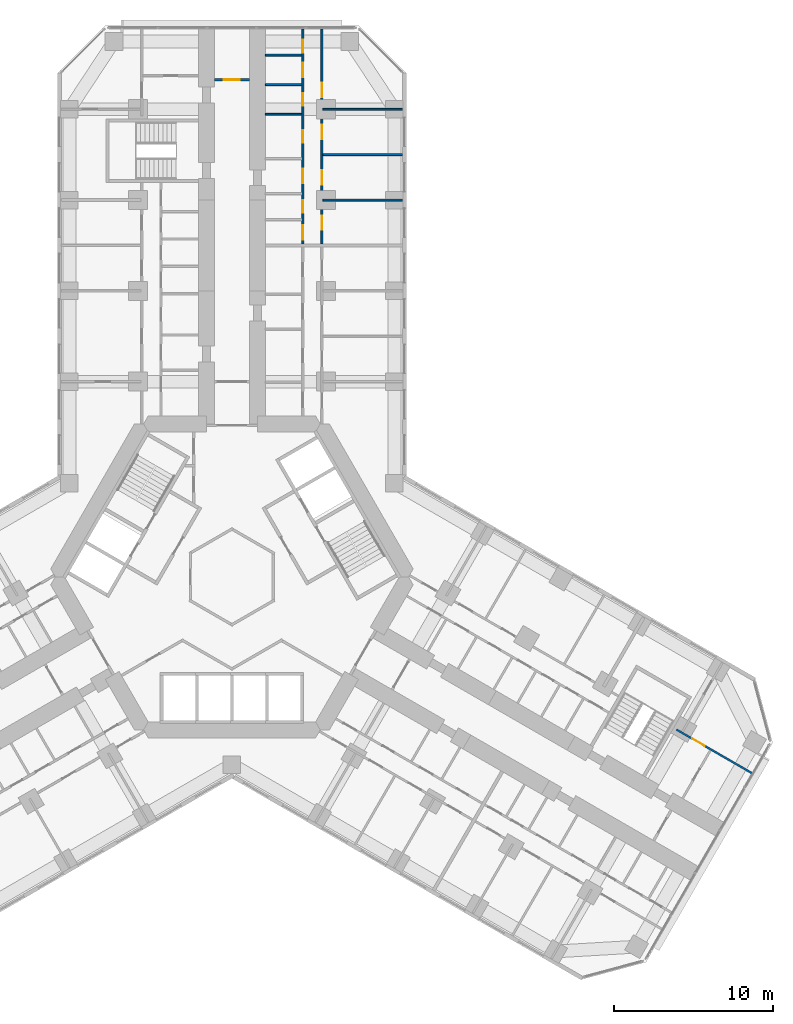
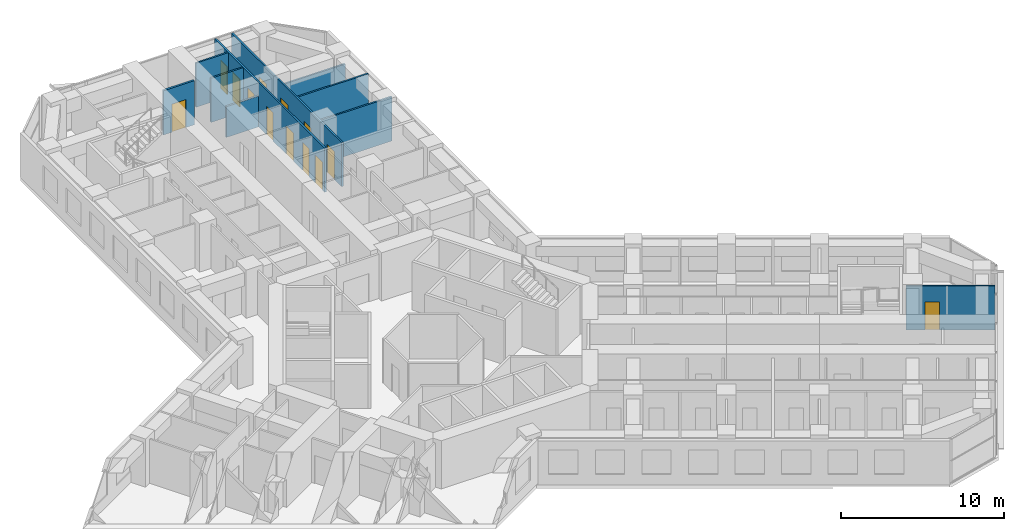
# One storey, part 19 of 21: 13 doors, 10 walls, 13 openings.
"""IFC4 building model written with IfcOpenShell, lengths in metres."""

from ifc_helpers import new_model, si_unit, direction, frame, frame_2d, origin, place, context, subcontext, project, spatial, rectangle, extrude, material, layer, layer_set, type_object, element, fill, save


model = new_model("IFC4")

# Units and contexts
model_context = context("Model", 3, precision=1e-05, world=origin(), true_north=direction((0.0, 1.0)))
body_context = subcontext(model_context, "Body", "Model", "MODEL_VIEW")
ifc_project = project(units=[si_unit("LENGTHUNIT", "METRE"), si_unit("AREAUNIT", "SQUARE_METRE"), si_unit("VOLUMEUNIT", "CUBIC_METRE"), si_unit("PLANEANGLEUNIT", "RADIAN"), si_unit("MASSUNIT", "GRAM", prefix="KILO")], contexts=[model_context])

# Site, building, storey
site_placement = place(None, origin())
site = spatial("IfcSite", under=ifc_project, at=site_placement, CompositionType="ELEMENT")
building_placement = place(site_placement, origin())
building = spatial("IfcBuilding", under=site, at=building_placement, Name="Kosmar Iwan School Tower", CompositionType="ELEMENT")
storey_placement = place(building_placement, frame((0.0, 0.0, 28.800048828125)))
storey = spatial("IfcBuildingStorey", under=building, at=storey_placement, Name="L06", CompositionType="ELEMENT", Elevation=28.800048828125)

# Wall, opening, door
ifc_material_1 = material(Name="Gypsum board on steel studs, fire-rated", Category="steel")
ifc_layer_1 = layer(ifc_material_1, 0.14990234375)
ifc_layer_set_1 = layer_set([ifc_layer_1], Name="Corridor end wall 150")
wall_type_1 = type_object("IfcWallType", Name="Corridor end wall 150", PredefinedType="PARTITIONING", material=ifc_layer_set_1)
wall_1_placement = place(storey_placement, frame((1.10009765625, 31.199951171875, 0.0), z_axis=(0.0, 0.0, 1.0), x_axis=(-1.0, 0.0, 0.0)))
wall_1 = element("IfcWall", 1, at=wall_1_placement, inside=storey, type_object=wall_type_1, Name="Partition L06-A-CE", PredefinedType="PARTITIONING", context=body_context, shape_type="SweptSolid", body=[
    extrude(rectangle(XDim=2.2001953125, YDim=0.14990234375, at=frame_2d((1.10009765625, 0.0))), origin(), (0.0, 0.0, 1.0), 3.300048828125),
])
opening_1_placement = place(wall_1_placement, frame((0.60009765625, 0.0, 0.0)))
opening_1 = element("IfcOpeningElement", 2, at=opening_1_placement, cuts=wall_1, Name="Opening D13", PredefinedType="OPENING", context=body_context, shape_type="SweptSolid", body=[
    extrude(rectangle(XDim=1.0, YDim=2.10009765625, at=frame_2d((0.5, 1.050048828125))), frame((0.0, 0.0869140625, 0.0), z_axis=(0.0, -1.0, 0.0), x_axis=(1.0, 0.0, 0.0)), (0.0, 0.0, 1.0), 0.173828125),
])
ifc_material_2 = material(Name="Timber fire door with vision panel", Category="wood")
door_type_1 = type_object("IfcDoorType", Name="Corridor end door 1000x2100", OperationType="SINGLE_SWING_LEFT", PredefinedType="DOOR", material=ifc_material_2)
door_1_placement = place(opening_1_placement, origin())
door_1 = element("IfcDoor", 3, at=door_1_placement, inside=storey, type_object=door_type_1, Name="Family study room door L06-A", OperationType="SINGLE_SWING_LEFT", OverallHeight=2.10009765625, OverallWidth=1.0, PredefinedType="DOOR", context=body_context, shape_type="SweptSolid", body=[
    extrude(rectangle(XDim=1.0, YDim=2.10009765625, at=frame_2d((0.5, 1.050048828125))), frame((0.0, 0.02490234375, 0.0), z_axis=(0.0, -1.0, 0.0), x_axis=(1.0, 0.0, 0.0)), (0.0, 0.0, 1.0), 0.050048828125),
])
fill(opening_1, door_1)

# Wall, openings, doors
ifc_material_3 = material(Name="Gypsum board on steel studs", Category="steel")
ifc_layer_2 = layer(ifc_material_3, 0.1201171875)
ifc_layer_set_2 = layer_set([ifc_layer_2], Name="Dwelling partition 120")
wall_type_2 = type_object("IfcWallType", Name="Dwelling partition 120", PredefinedType="PARTITIONING", material=ifc_layer_set_2)
wall_2_placement = place(storey_placement, frame((4.449951171875, 20.89990234375, 0.0), z_axis=(0.0, 0.0, 1.0), x_axis=(0.0, 1.0, 0.0)))
wall_2 = element("IfcWall", 4, at=wall_2_placement, inside=storey, type_object=wall_type_2, Name="Partition L06-AR2-W1", PredefinedType="PARTITIONING", context=body_context, shape_type="SweptSolid", body=[
    extrude(rectangle(XDim=13.4951171875, YDim=0.1201171875, at=frame_2d((6.74755859375, 0.0))), origin(), (0.0, 0.0, 1.0), 3.300048828125),
])
opening_2_placement = place(wall_2_placement, frame((0.262451171875, 0.0, 0.0)))
opening_2 = element("IfcOpeningElement", 5, at=opening_2_placement, cuts=wall_2, Name="Opening D2", PredefinedType="OPENING", context=body_context, shape_type="SweptSolid", body=[
    extrude(rectangle(XDim=0.89990234375, YDim=2.10009765625, at=frame_2d((0.449951171875, 1.050048828125))), frame((0.0, 0.072021484375, 0.0), z_axis=(0.0, -1.0, 0.0), x_axis=(1.0, 0.0, 0.0)), (0.0, 0.0, 1.0), 0.14404296875),
])
opening_3_placement = place(wall_2_placement, frame((1.9375, 0.0, 0.0)))
opening_3 = element("IfcOpeningElement", 6, at=opening_3_placement, cuts=wall_2, Name="Opening D3", PredefinedType="OPENING", context=body_context, shape_type="SweptSolid", body=[
    extrude(rectangle(XDim=0.800048828125, YDim=2.10009765625, at=frame_2d((0.39990234375, 1.050048828125))), frame((0.0, 0.072021484375, 0.0), z_axis=(0.0, -1.0, 0.0), x_axis=(1.0, 0.0, 0.0)), (0.0, 0.0, 1.0), 0.14404296875),
])
opening_4_placement = place(wall_2_placement, frame((3.800048828125, 0.0, 0.0)))
opening_4 = element("IfcOpeningElement", 7, at=opening_4_placement, cuts=wall_2, Name="Opening D2", PredefinedType="OPENING", context=body_context, shape_type="SweptSolid", body=[
    extrude(rectangle(XDim=0.89990234375, YDim=2.10009765625, at=frame_2d((0.449951171875, 1.050048828125))), frame((0.0, 0.072021484375, 0.0), z_axis=(0.0, -1.0, 0.0), x_axis=(1.0, 0.0, 0.0)), (0.0, 0.0, 1.0), 0.14404296875),
])
opening_5_placement = place(wall_2_placement, frame((6.341796875, 0.0, 0.0)))
opening_5 = element("IfcOpeningElement", 8, at=opening_5_placement, cuts=wall_2, Name="Opening D3", PredefinedType="OPENING", context=body_context, shape_type="SweptSolid", body=[
    extrude(rectangle(XDim=0.800048828125, YDim=2.10009765625, at=frame_2d((0.39990234375, 1.050048828125))), frame((0.0, 0.072021484375, 0.0), z_axis=(0.0, -1.0, 0.0), x_axis=(1.0, 0.0, 0.0)), (0.0, 0.0, 1.0), 0.14404296875),
])
opening_6_placement = place(wall_2_placement, frame((8.6611328125, 0.0, 0.0)))
opening_6 = element("IfcOpeningElement", 9, at=opening_6_placement, cuts=wall_2, Name="Opening D3", PredefinedType="OPENING", context=body_context, shape_type="SweptSolid", body=[
    extrude(rectangle(XDim=0.800048828125, YDim=2.10009765625, at=frame_2d((0.39990234375, 1.050048828125))), frame((0.0, 0.072021484375, 0.0), z_axis=(0.0, -1.0, 0.0), x_axis=(1.0, 0.0, 0.0)), (0.0, 0.0, 1.0), 0.14404296875),
])
opening_7_placement = place(wall_2_placement, frame((10.466796875, 0.0, 0.0)))
opening_7 = element("IfcOpeningElement", 10, at=opening_7_placement, cuts=wall_2, Name="Opening D2", PredefinedType="OPENING", context=body_context, shape_type="SweptSolid", body=[
    extrude(rectangle(XDim=0.89990234375, YDim=2.10009765625, at=frame_2d((0.449951171875, 1.050048828125))), frame((0.0, 0.072021484375, 0.0), z_axis=(0.0, -1.0, 0.0), x_axis=(1.0, 0.0, 0.0)), (0.0, 0.0, 1.0), 0.14404296875),
])
opening_8_placement = place(wall_2_placement, frame((12.00439453125, 0.0, 0.0)))
opening_8 = element("IfcOpeningElement", 11, at=opening_8_placement, cuts=wall_2, Name="Opening D3", PredefinedType="OPENING", context=body_context, shape_type="SweptSolid", body=[
    extrude(rectangle(XDim=0.800048828125, YDim=2.10009765625, at=frame_2d((0.39990234375, 1.050048828125))), frame((0.0, 0.072021484375, 0.0), z_axis=(0.0, -1.0, 0.0), x_axis=(1.0, 0.0, 0.0)), (0.0, 0.0, 1.0), 0.14404296875),
])
ifc_material_4 = material(Name="Timber door in timber frame", Category="wood")
door_type_2 = type_object("IfcDoorType", Name="Internal door 900x2100", OperationType="SINGLE_SWING_LEFT", PredefinedType="DOOR", material=ifc_material_4)
door_2_placement = place(opening_2_placement, origin())
door_2 = element("IfcDoor", 12, at=door_2_placement, inside=storey, type_object=door_type_2, Name="Utility room door L06-AR2-S1", OperationType="SINGLE_SWING_RIGHT", OverallHeight=2.10009765625, OverallWidth=0.89990234375, PredefinedType="DOOR", context=body_context, shape_type="SweptSolid", body=[
    extrude(rectangle(XDim=0.89990234375, YDim=2.10009765625, at=frame_2d((0.449951171875, 1.050048828125))), frame((0.0, 0.02490234375, 0.0), z_axis=(0.0, -1.0, 0.0), x_axis=(1.0, 0.0, 0.0)), (0.0, 0.0, 1.0), 0.050048828125),
])
fill(opening_2, door_2)
door_3_placement = place(opening_4_placement, origin())
door_3 = element("IfcDoor", 13, at=door_3_placement, inside=storey, type_object=door_type_2, Name="Entrance hall door L06-AR2-S3", OperationType="SINGLE_SWING_RIGHT", OverallHeight=2.10009765625, OverallWidth=0.89990234375, PredefinedType="DOOR", context=body_context, shape_type="SweptSolid", body=[
    extrude(rectangle(XDim=0.89990234375, YDim=2.10009765625, at=frame_2d((0.449951171875, 1.050048828125))), frame((0.0, 0.02490234375, 0.0), z_axis=(0.0, -1.0, 0.0), x_axis=(1.0, 0.0, 0.0)), (0.0, 0.0, 1.0), 0.050048828125),
])
fill(opening_4, door_3)
door_4_placement = place(opening_7_placement, origin())
door_4 = element("IfcDoor", 14, at=door_4_placement, inside=storey, type_object=door_type_2, Name="Pantry door L06-AR2-S6", OperationType="SINGLE_SWING_LEFT", OverallHeight=2.10009765625, OverallWidth=0.89990234375, PredefinedType="DOOR", context=body_context, shape_type="SweptSolid", body=[
    extrude(rectangle(XDim=0.89990234375, YDim=2.10009765625, at=frame_2d((0.449951171875, 1.050048828125))), frame((0.0, 0.02490234375, 0.0), z_axis=(0.0, -1.0, 0.0), x_axis=(1.0, 0.0, 0.0)), (0.0, 0.0, 1.0), 0.050048828125),
])
fill(opening_7, door_4)
ifc_material_5 = material(Name="Timber door in timber frame", Category="wood")
door_type_3 = type_object("IfcDoorType", Name="Sanitary room door 800x2100", OperationType="SINGLE_SWING_LEFT", PredefinedType="DOOR", material=ifc_material_5)
door_5_placement = place(opening_3_placement, origin())
door_5 = element("IfcDoor", 15, at=door_5_placement, inside=storey, type_object=door_type_3, Name="WC door L06-AR2-S2", OperationType="SINGLE_SWING_LEFT", OverallHeight=2.10009765625, OverallWidth=0.800048828125, PredefinedType="DOOR", context=body_context, shape_type="SweptSolid", body=[
    extrude(rectangle(XDim=0.800048828125, YDim=2.10009765625, at=frame_2d((0.39990234375, 1.050048828125))), frame((0.0, 0.02490234375, 0.0), z_axis=(0.0, -1.0, 0.0), x_axis=(1.0, 0.0, 0.0)), (0.0, 0.0, 1.0), 0.050048828125),
])
fill(opening_3, door_5)
door_6_placement = place(opening_5_placement, origin())
door_6 = element("IfcDoor", 16, at=door_6_placement, inside=storey, type_object=door_type_3, Name="Bathroom door L06-AR2-S4", OperationType="SINGLE_SWING_LEFT", OverallHeight=2.10009765625, OverallWidth=0.800048828125, PredefinedType="DOOR", context=body_context, shape_type="SweptSolid", body=[
    extrude(rectangle(XDim=0.800048828125, YDim=2.10009765625, at=frame_2d((0.39990234375, 1.050048828125))), frame((0.0, 0.02490234375, 0.0), z_axis=(0.0, -1.0, 0.0), x_axis=(1.0, 0.0, 0.0)), (0.0, 0.0, 1.0), 0.050048828125),
])
fill(opening_5, door_6)
door_7_placement = place(opening_6_placement, origin())
door_7 = element("IfcDoor", 17, at=door_7_placement, inside=storey, type_object=door_type_3, Name="Shower room door L06-AR2-S5", OperationType="SINGLE_SWING_RIGHT", OverallHeight=2.10009765625, OverallWidth=0.800048828125, PredefinedType="DOOR", context=body_context, shape_type="SweptSolid", body=[
    extrude(rectangle(XDim=0.800048828125, YDim=2.10009765625, at=frame_2d((0.39990234375, 1.050048828125))), frame((0.0, 0.02490234375, 0.0), z_axis=(0.0, -1.0, 0.0), x_axis=(1.0, 0.0, 0.0)), (0.0, 0.0, 1.0), 0.050048828125),
])
fill(opening_6, door_7)
door_8_placement = place(opening_8_placement, origin())
door_8 = element("IfcDoor", 18, at=door_8_placement, inside=storey, type_object=door_type_3, Name="Store door L06-AR2-S7", OperationType="SINGLE_SWING_LEFT", OverallHeight=2.10009765625, OverallWidth=0.800048828125, PredefinedType="DOOR", context=body_context, shape_type="SweptSolid", body=[
    extrude(rectangle(XDim=0.800048828125, YDim=2.10009765625, at=frame_2d((0.39990234375, 1.050048828125))), frame((0.0, 0.02490234375, 0.0), z_axis=(0.0, -1.0, 0.0), x_axis=(1.0, 0.0, 0.0)), (0.0, 0.0, 1.0), 0.050048828125),
])
fill(opening_8, door_8)

wall_3_placement = place(storey_placement, frame((5.64990234375, 20.89990234375, 0.0), z_axis=(0.0, 0.0, 1.0), x_axis=(0.0, 1.0, 0.0)))
wall_3 = element("IfcWall", 19, at=wall_3_placement, inside=storey, type_object=wall_type_2, Name="Partition L06-AR2-W2", PredefinedType="PARTITIONING", context=body_context, shape_type="SweptSolid", body=[
    extrude(rectangle(XDim=13.4951171875, YDim=0.1201171875, at=frame_2d((6.74755859375, 0.0))), origin(), (0.0, 0.0, 1.0), 3.300048828125),
])
opening_9_placement = place(wall_3_placement, frame((0.875, 0.0, 0.0)))
opening_9 = element("IfcOpeningElement", 20, at=opening_9_placement, cuts=wall_3, Name="Opening D2", PredefinedType="OPENING", context=body_context, shape_type="SweptSolid", body=[
    extrude(rectangle(XDim=0.89990234375, YDim=2.10009765625, at=frame_2d((0.449951171875, 1.050048828125))), frame((0.0, 0.072021484375, 0.0), z_axis=(0.0, -1.0, 0.0), x_axis=(1.0, 0.0, 0.0)), (0.0, 0.0, 1.0), 0.14404296875),
])
opening_10_placement = place(wall_3_placement, frame((3.72509765625, 0.0, 0.0)))
opening_10 = element("IfcOpeningElement", 21, at=opening_10_placement, cuts=wall_3, Name="Opening D2", PredefinedType="OPENING", context=body_context, shape_type="SweptSolid", body=[
    extrude(rectangle(XDim=0.89990234375, YDim=2.10009765625, at=frame_2d((0.449951171875, 1.050048828125))), frame((0.0, 0.072021484375, 0.0), z_axis=(0.0, -1.0, 0.0), x_axis=(1.0, 0.0, 0.0)), (0.0, 0.0, 1.0), 0.14404296875),
])
opening_11_placement = place(wall_3_placement, frame((6.574951171875, 0.0, 0.0)))
opening_11 = element("IfcOpeningElement", 22, at=opening_11_placement, cuts=wall_3, Name="Opening D2", PredefinedType="OPENING", context=body_context, shape_type="SweptSolid", body=[
    extrude(rectangle(XDim=0.89990234375, YDim=2.10009765625, at=frame_2d((0.449951171875, 1.050048828125))), frame((0.0, 0.072021484375, 0.0), z_axis=(0.0, -1.0, 0.0), x_axis=(1.0, 0.0, 0.0)), (0.0, 0.0, 1.0), 0.14404296875),
])
opening_12_placement = place(wall_3_placement, frame((9.199951171875, 0.0, 0.0)))
opening_12 = element("IfcOpeningElement", 23, at=opening_12_placement, cuts=wall_3, Name="Opening D2", PredefinedType="OPENING", context=body_context, shape_type="SweptSolid", body=[
    extrude(rectangle(XDim=0.89990234375, YDim=2.10009765625, at=frame_2d((0.449951171875, 1.050048828125))), frame((0.0, 0.072021484375, 0.0), z_axis=(0.0, -1.0, 0.0), x_axis=(1.0, 0.0, 0.0)), (0.0, 0.0, 1.0), 0.14404296875),
])
door_9_placement = place(opening_9_placement, origin())
door_9 = element("IfcDoor", 24, at=door_9_placement, inside=storey, type_object=door_type_2, Name="Study door L06-AR2-F1", OperationType="SINGLE_SWING_LEFT", OverallHeight=2.10009765625, OverallWidth=0.89990234375, PredefinedType="DOOR", context=body_context, shape_type="SweptSolid", body=[
    extrude(rectangle(XDim=0.89990234375, YDim=2.10009765625, at=frame_2d((0.449951171875, 1.050048828125))), frame((0.0, 0.02490234375, 0.0), z_axis=(0.0, -1.0, 0.0), x_axis=(1.0, 0.0, 0.0)), (0.0, 0.0, 1.0), 0.050048828125),
])
fill(opening_9, door_9)
door_10_placement = place(opening_10_placement, origin())
door_10 = element("IfcDoor", 25, at=door_10_placement, inside=storey, type_object=door_type_2, Name="Bedroom 1 door L06-AR2-F2", OperationType="SINGLE_SWING_LEFT", OverallHeight=2.10009765625, OverallWidth=0.89990234375, PredefinedType="DOOR", context=body_context, shape_type="SweptSolid", body=[
    extrude(rectangle(XDim=0.89990234375, YDim=2.10009765625, at=frame_2d((0.449951171875, 1.050048828125))), frame((0.0, 0.02490234375, 0.0), z_axis=(0.0, -1.0, 0.0), x_axis=(1.0, 0.0, 0.0)), (0.0, 0.0, 1.0), 0.050048828125),
])
fill(opening_10, door_10)
door_11_placement = place(opening_11_placement, origin())
door_11 = element("IfcDoor", 26, at=door_11_placement, inside=storey, type_object=door_type_2, Name="Bedroom 2 door L06-AR2-F3", OperationType="SINGLE_SWING_RIGHT", OverallHeight=2.10009765625, OverallWidth=0.89990234375, PredefinedType="DOOR", context=body_context, shape_type="SweptSolid", body=[
    extrude(rectangle(XDim=0.89990234375, YDim=2.10009765625, at=frame_2d((0.449951171875, 1.050048828125))), frame((0.0, 0.02490234375, 0.0), z_axis=(0.0, -1.0, 0.0), x_axis=(1.0, 0.0, 0.0)), (0.0, 0.0, 1.0), 0.050048828125),
])
fill(opening_11, door_11)
door_12_placement = place(opening_12_placement, origin())
door_12 = element("IfcDoor", 27, at=door_12_placement, inside=storey, type_object=door_type_2, Name="Living room and kitchen door L06-AR2-F4", OperationType="SINGLE_SWING_RIGHT", OverallHeight=2.10009765625, OverallWidth=0.89990234375, PredefinedType="DOOR", context=body_context, shape_type="SweptSolid", body=[
    extrude(rectangle(XDim=0.89990234375, YDim=2.10009765625, at=frame_2d((0.449951171875, 1.050048828125))), frame((0.0, 0.02490234375, 0.0), z_axis=(0.0, -1.0, 0.0), x_axis=(1.0, 0.0, 0.0)), (0.0, 0.0, 1.0), 0.050048828125),
])
fill(opening_12, door_12)

# Walls
for number, where, z_axis, x_axis, name in (
    (28, (5.7099609375, 23.64990234375, 0.0), (0.0, 0.0, 1.0), (1.0, 0.0, 0.0), "Partition L06-AR2-X1"),
    (29, (5.7099609375, 26.5, 0.0), (0.0, 0.0, 1.0), (1.0, 0.0, 0.0), "Partition L06-AR2-X2"),
):
    element("IfcWall", number, at=place(storey_placement, frame(where, z_axis=z_axis, x_axis=x_axis)), inside=storey, type_object=wall_type_2, Name=name, PredefinedType="PARTITIONING", context=body_context, shape_type="SweptSolid", body=[
        extrude(rectangle(XDim=4.989990234375, YDim=0.1201171875, at=frame_2d((2.4951171875, 0.0))), origin(), (0.0, 0.0, 1.0), 3.300048828125),
    ])
wall_4_placement = place(storey_placement, frame((5.7099609375, 29.35009765625, 0.0), z_axis=(0.0, 0.0, 1.0), x_axis=(1.0, 0.0, 0.0)))
element("IfcWall", 30, at=wall_4_placement, inside=storey, type_object=wall_type_2, Name="Partition L06-AR2-X3", PredefinedType="PARTITIONING", context=body_context, shape_type="SweptSolid", body=[
    extrude(rectangle(XDim=4.989990234375, YDim=0.1201171875, at=frame_2d((2.4951171875, 0.0))), origin(), (0.0, 0.0, 1.0), 2.300048828125),
])
wall_5_placement = place(storey_placement, frame((2.10009765625, 29.033447265625, 0.0), z_axis=(0.0, 0.0, 1.0), x_axis=(1.0, 0.0, 0.0)))
element("IfcWall", 31, at=wall_5_placement, inside=storey, type_object=wall_type_2, Name="Partition L06-AR2-Y4", PredefinedType="PARTITIONING", context=body_context, shape_type="SweptSolid", body=[
    extrude(rectangle(XDim=2.289794921875, YDim=0.1201171875, at=frame_2d((1.14501953125, 0.0))), origin(), (0.0, 0.0, 1.0), 2.300048828125),
])
for number, where, z_axis, x_axis, name in (
    (32, (2.10009765625, 30.888916015625, 0.0), (0.0, 0.0, 1.0), (1.0, 0.0, 0.0), "Partition L06-AR2-Y5"),
    (33, (2.10009765625, 32.744384765625, 0.0), (0.0, 0.0, 1.0), (1.0, 0.0, 0.0), "Partition L06-AR2-Y6"),
):
    element("IfcWall", number, at=place(storey_placement, frame(where, z_axis=z_axis, x_axis=x_axis)), inside=storey, type_object=wall_type_2, Name=name, PredefinedType="PARTITIONING", context=body_context, shape_type="SweptSolid", body=[
        extrude(rectangle(XDim=2.289794921875, YDim=0.1201171875, at=frame_2d((1.14501953125, 0.0))), origin(), (0.0, 0.0, 1.0), 3.300048828125),
    ])

# Wall, opening, door
wall_6_placement = place(storey_placement, frame((27.896484375, -9.58203125, 0.0), z_axis=(0.0, 0.0, 1.0), x_axis=(0.866035508231, -0.499982498177, 0.0)))
wall_6 = element("IfcWall", 34, at=wall_6_placement, inside=storey, type_object=wall_type_2, Name="Partition L06-CL2-TW", PredefinedType="PARTITIONING", context=body_context, shape_type="SweptSolid", body=[
    extrude(rectangle(XDim=5.445068359375, YDim=0.1201171875, at=frame_2d((2.72265625, 0.0))), origin(), (0.0, 0.0, 1.0), 3.300048828125),
])
opening_13_placement = place(wall_6_placement, frame((1.14990234375, 0.0, 0.0)))
opening_13 = element("IfcOpeningElement", 35, at=opening_13_placement, cuts=wall_6, Name="Opening D2", PredefinedType="OPENING", context=body_context, shape_type="SweptSolid", body=[
    extrude(rectangle(XDim=0.89990234375, YDim=2.10009765625, at=frame_2d((0.449951171875, 1.050048828125))), frame((0.0, 0.072021484375, 0.0), z_axis=(0.0, -1.0, 0.0), x_axis=(1.0, 0.0, 0.0)), (0.0, 0.0, 1.0), 0.14404296875),
])
door_13_placement = place(opening_13_placement, origin())
door_13 = element("IfcDoor", 36, at=door_13_placement, inside=storey, type_object=door_type_2, Name="Entrance hall door L06-CL2-T3", OperationType="SINGLE_SWING_LEFT", OverallHeight=2.10009765625, OverallWidth=0.89990234375, PredefinedType="DOOR", context=body_context, shape_type="SweptSolid", body=[
    extrude(rectangle(XDim=0.89990234375, YDim=2.10009765625, at=frame_2d((0.449951171875, 1.050048828125))), frame((0.0, 0.02490234375, 0.0), z_axis=(0.0, -1.0, 0.0), x_axis=(1.0, 0.0, 0.0)), (0.0, 0.0, 1.0), 0.050048828125),
])
fill(opening_13, door_13)

save(model, "model.ifc")
